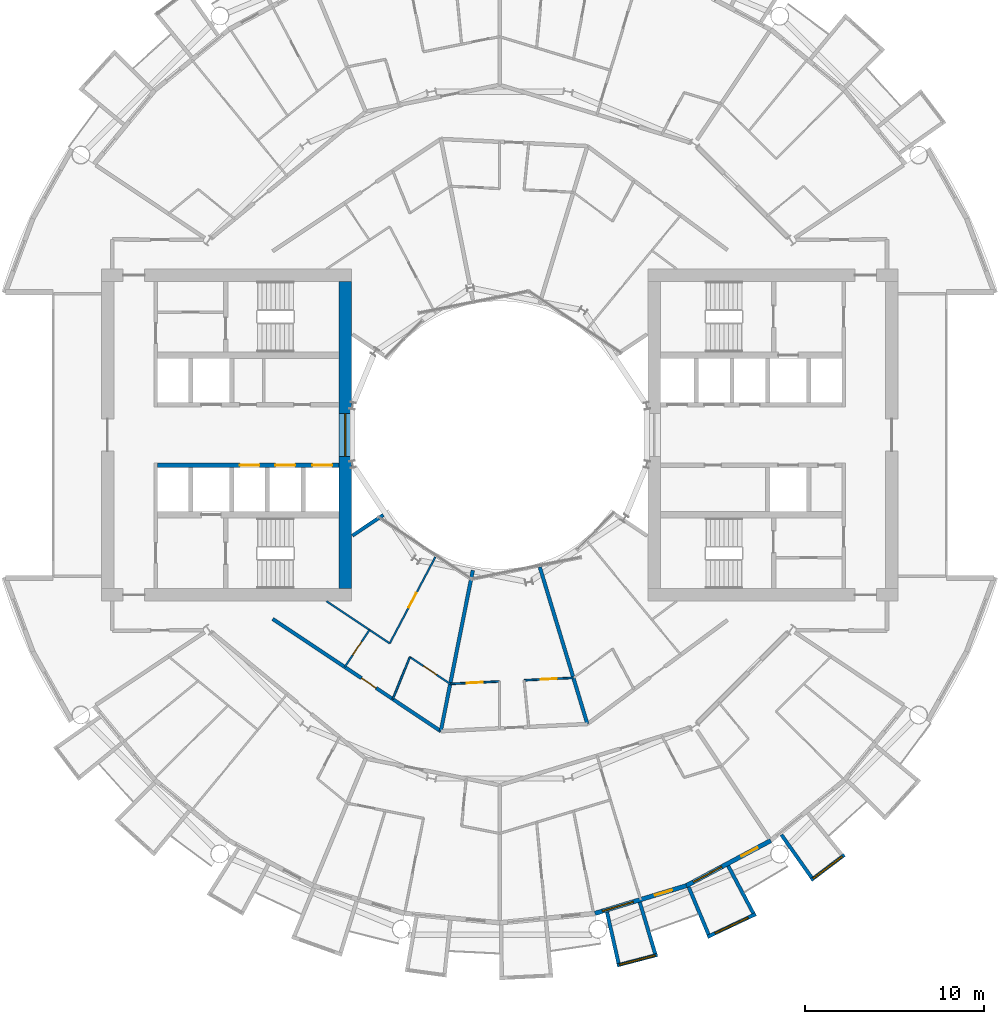
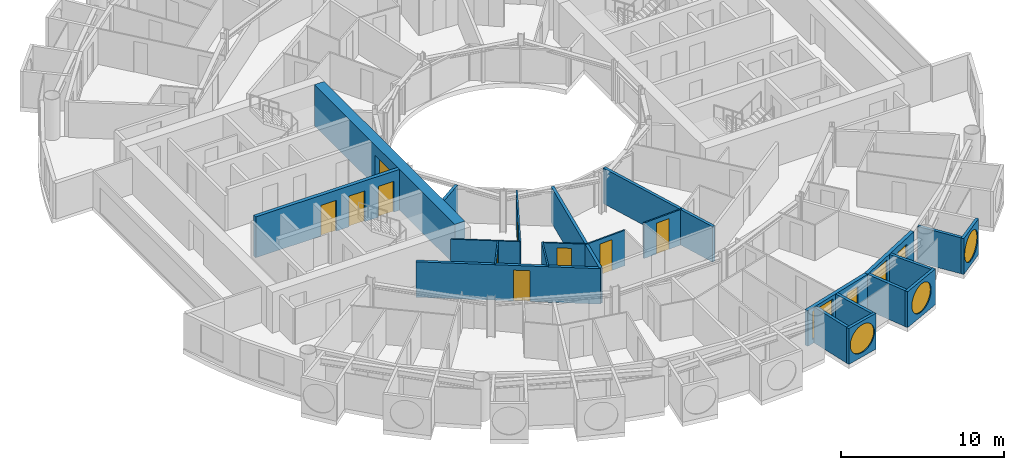
# One storey, part 15 of 25: 23 walls, 11 doors, 6 windows, 17 openings.
"""IFC4 building model written with IfcOpenShell, lengths in metres."""

from ifc_helpers import new_model, si_unit, direction, frame, frame_2d, origin, place, context, subcontext, project, spatial, rectangle, circle, extrude, material, layer, layer_set, type_object, element, fill, save


model = new_model("IFC4")

# Units and contexts
model_context = context("Model", 3, precision=1e-05, world=origin(), true_north=direction((0.0, 1.0)))
body_context = subcontext(model_context, "Body", "Model", "MODEL_VIEW")
ifc_project = project(units=[si_unit("LENGTHUNIT", "METRE"), si_unit("AREAUNIT", "SQUARE_METRE"), si_unit("VOLUMEUNIT", "CUBIC_METRE"), si_unit("PLANEANGLEUNIT", "RADIAN"), si_unit("MASSUNIT", "GRAM", prefix="KILO")], contexts=[model_context])

# Site, building, storey
site_placement = place(None, origin())
site = spatial("IfcSite", under=ifc_project, at=site_placement, CompositionType="ELEMENT")
building_placement = place(site_placement, origin())
building = spatial("IfcBuilding", under=site, at=building_placement, Name="Maasbend Ring Residences", CompositionType="ELEMENT")
storey_placement = place(building_placement, frame((0.0, 0.0, 94.10009765625)))
storey = spatial("IfcBuildingStorey", under=building, at=storey_placement, Name="L27", CompositionType="ELEMENT", Elevation=94.10009765625)

# Wall, openings, doors
ifc_material_1 = material(Name="Concrete C70/85", Category="concrete")
ifc_layer_1 = layer(ifc_material_1, 0.25)
ifc_layer_set_1 = layer_set([ifc_layer_1], Name="Concrete C70/85")
wall_type_1 = type_object("IfcWallType", Name="CORE WALL 250 C70/85", PredefinedType="SHEAR", material=ifc_layer_set_1)
wall_1_placement = place(storey_placement, frame((-9.0, -1.699951171875, 0.0), z_axis=(0.0, 0.0, 1.0), x_axis=(-1.0, 0.0, 0.0)))
wall_1 = element("IfcWall", 1, at=wall_1_placement, inside=storey, type_object=wall_type_1, Name="L27 core W wall SPN", PredefinedType="SHEAR", context=body_context, shape_type="SweptSolid", body=[
    extrude(rectangle(XDim=10.14990234375, YDim=0.25, at=frame_2d((5.074951171875, 0.0))), origin(), (0.0, 0.0, 1.0), 3.0498046875),
])
opening_1_placement = place(wall_1_placement, frame((0.387451171875, 0.0, 0.0)))
opening_1 = element("IfcOpeningElement", 2, at=opening_1_placement, cuts=wall_1, Name="Opening LD-W2701", PredefinedType="OPENING", context=body_context, shape_type="SweptSolid", body=[
    extrude(rectangle(XDim=1.10009765625, YDim=2.300048828125, at=frame_2d((0.550048828125, 1.14990234375))), frame((0.0, 0.135009765625, 0.0), z_axis=(0.0, -1.0, 0.0), x_axis=(1.0, 0.0, 0.0)), (0.0, 0.0, 1.0), 0.27001953125),
])
opening_2_placement = place(wall_1_placement, frame((2.449951171875, 0.0, 0.0)))
opening_2 = element("IfcOpeningElement", 3, at=opening_2_placement, cuts=wall_1, Name="Opening LD-W2702", PredefinedType="OPENING", context=body_context, shape_type="SweptSolid", body=[
    extrude(rectangle(XDim=1.10009765625, YDim=2.300048828125, at=frame_2d((0.550048828125, 1.14990234375))), frame((0.0, 0.135009765625, 0.0), z_axis=(0.0, -1.0, 0.0), x_axis=(1.0, 0.0, 0.0)), (0.0, 0.0, 1.0), 0.27001953125),
])
opening_3_placement = place(wall_1_placement, frame((4.449951171875, 0.0, 0.0)))
opening_3 = element("IfcOpeningElement", 4, at=opening_3_placement, cuts=wall_1, Name="Opening LD-W2703", PredefinedType="OPENING", context=body_context, shape_type="SweptSolid", body=[
    extrude(rectangle(XDim=1.10009765625, YDim=2.300048828125, at=frame_2d((0.550048828125, 1.14990234375))), frame((0.0, 0.135009765625, 0.0), z_axis=(0.0, -1.0, 0.0), x_axis=(1.0, 0.0, 0.0)), (0.0, 0.0, 1.0), 0.27001953125),
])
ifc_material_2 = material(Name="Stainless steel 316", Category="steel")
door_type_1 = type_object("IfcDoorType", Name="LANDING DOOR 1100 X 2300 FD60", OperationType="DOUBLE_DOOR_SLIDING", PredefinedType="DOOR", material=ifc_material_2)
door_1_placement = place(opening_1_placement, origin())
door_1 = element("IfcDoor", 5, at=door_1_placement, inside=storey, type_object=door_type_1, Name="Landing door LR-W1 L27", OperationType="DOUBLE_DOOR_SLIDING", OverallHeight=2.300048828125, OverallWidth=1.10009765625, PredefinedType="DOOR", context=body_context, shape_type="SweptSolid", body=[
    extrude(rectangle(XDim=1.10009765625, YDim=2.300048828125, at=frame_2d((0.550048828125, 1.14990234375))), frame((0.0, 0.02490234375, 0.0), z_axis=(0.0, -1.0, 0.0), x_axis=(1.0, 0.0, 0.0)), (0.0, 0.0, 1.0), 0.050048828125),
])
fill(opening_1, door_1)
door_2_placement = place(opening_2_placement, origin())
door_2 = element("IfcDoor", 6, at=door_2_placement, inside=storey, type_object=door_type_1, Name="Landing door LR-W2 L27", OperationType="DOUBLE_DOOR_SLIDING", OverallHeight=2.300048828125, OverallWidth=1.10009765625, PredefinedType="DOOR", context=body_context, shape_type="SweptSolid", body=[
    extrude(rectangle(XDim=1.10009765625, YDim=2.300048828125, at=frame_2d((0.550048828125, 1.14990234375))), frame((0.0, 0.02490234375, 0.0), z_axis=(0.0, -1.0, 0.0), x_axis=(1.0, 0.0, 0.0)), (0.0, 0.0, 1.0), 0.050048828125),
])
fill(opening_2, door_2)
door_3_placement = place(opening_3_placement, origin())
door_3 = element("IfcDoor", 7, at=door_3_placement, inside=storey, type_object=door_type_1, Name="Landing door LR-W3 L27", OperationType="DOUBLE_DOOR_SLIDING", OverallHeight=2.300048828125, OverallWidth=1.10009765625, PredefinedType="DOOR", context=body_context, shape_type="SweptSolid", body=[
    extrude(rectangle(XDim=1.10009765625, YDim=2.300048828125, at=frame_2d((0.550048828125, 1.14990234375))), frame((0.0, 0.02490234375, 0.0), z_axis=(0.0, -1.0, 0.0), x_axis=(1.0, 0.0, 0.0)), (0.0, 0.0, 1.0), 0.050048828125),
])
fill(opening_3, door_3)

# Wall, opening, window
ifc_material_3 = material(Name="Concrete C70/85", Category="concrete")
ifc_layer_2 = layer(ifc_material_3, 0.699951171875)
ifc_layer_set_2 = layer_set([ifc_layer_2], Name="Concrete C70/85")
wall_type_2 = type_object("IfcWallType", Name="CORE WALL 700 C70/85", PredefinedType="SHEAR", material=ifc_layer_set_2)
wall_2_placement = place(storey_placement, frame((-8.64990234375, 8.60009765625, 0.0), z_axis=(0.0, 0.0, 1.0), x_axis=(0.0, -1.0, 0.0)))
wall_2 = element("IfcWall", 8, at=wall_2_placement, inside=storey, type_object=wall_type_2, Name="L27 core W wall PIN", PredefinedType="SHEAR", context=body_context, shape_type="SweptSolid", body=[
    extrude(rectangle(XDim=17.2001953125, YDim=0.699951171875, at=frame_2d((8.60009765625, 0.0))), origin(), (0.0, 0.0, 1.0), 3.0498046875),
])
opening_4_placement = place(wall_2_placement, frame((7.39990234375, 0.0, 0.10009765625)))
opening_4 = element("IfcOpeningElement", 9, at=opening_4_placement, cuts=wall_2, Name="Opening W-W2701", PredefinedType="OPENING", context=body_context, shape_type="SweptSolid", body=[
    extrude(rectangle(XDim=2.39990234375, YDim=2.199951171875, at=frame_2d((1.199951171875, 1.10009765625))), frame((0.0, 0.35986328125, 0.0), z_axis=(0.0, -1.0, 0.0), x_axis=(1.0, 0.0, 0.0)), (0.0, 0.0, 1.0), 0.719970703125),
])
ifc_material_4 = material(Name="Aluminium frame and clear glass", Category="aluminium")
window_type_1 = type_object("IfcWindowType", Name="FIXED WINDOW 2400 X 2200", PartitioningType="SINGLE_PANEL", PredefinedType="WINDOW", material=ifc_material_4)
window_1_placement = place(opening_4_placement, origin())
window_1 = element("IfcWindow", 10, at=window_1_placement, inside=storey, type_object=window_type_1, Name="Lobby window L27", OverallHeight=2.199951171875, OverallWidth=2.39990234375, PartitioningType="SINGLE_PANEL", PredefinedType="WINDOW", context=body_context, shape_type="SweptSolid", body=[
    extrude(rectangle(XDim=2.39990234375, YDim=2.199951171875, at=frame_2d((1.199951171875, 1.10009765625))), frame((0.0, 0.030029296875, 0.0), z_axis=(0.0, -1.0, 0.0), x_axis=(1.0, 0.0, 0.0)), (0.0, 0.0, 1.0), 0.06005859375),
])
fill(opening_4, window_1)

# Wall, opening, door
ifc_material_5 = material(Name="Concrete C30/37", Category="concrete")
ifc_layer_3 = layer(ifc_material_5, 0.199951171875)
ifc_layer_set_3 = layer_set([ifc_layer_3], Name="Concrete C30/37")
wall_type_3 = type_object("IfcWallType", Name="CORRIDOR WALL 200 CONCRETE", PredefinedType="PARTITIONING", material=ifc_layer_set_3)
wall_3_placement = place(storey_placement, frame((-12.7060546875, -10.291015625, 0.0), z_axis=(0.0, 0.0, 1.0), x_axis=(0.831588572532, -0.555392155178, 0.0)))
wall_3 = element("IfcWall", 11, at=wall_3_placement, inside=storey, type_object=wall_type_3, Name="U-L27-w017", PredefinedType="PARTITIONING", context=body_context, shape_type="SweptSolid", body=[
    extrude(rectangle(XDim=11.314453125, YDim=0.199951171875, at=frame_2d((5.6572265625, 0.0))), origin(), (0.0, 0.0, 1.0), 2.64990234375),
])
opening_5_placement = place(wall_3_placement, frame((5.966064453125, 0.0, 0.0)))
opening_5 = element("IfcOpeningElement", 12, at=opening_5_placement, cuts=wall_3, Name="Opening D-2752", PredefinedType="OPENING", context=body_context, shape_type="SweptSolid", body=[
    extrude(rectangle(XDim=1.0, YDim=2.300048828125, at=frame_2d((0.5, 1.14990234375))), frame((0.0, 0.10986328125, 0.0), z_axis=(0.0, -1.0, 0.0), x_axis=(1.0, 0.0, 0.0)), (0.0, 0.0, 1.0), 0.219970703125),
])
ifc_material_6 = material(Name="Timber, fire-rated, painted", Category="wood")
door_type_2 = type_object("IfcDoorType", Name="FLAT ENTRANCE DOOR 1000 X 2300 FIRE-RATED", OperationType="NOTDEFINED", PredefinedType="DOOR", material=ifc_material_6)
door_4_placement = place(opening_5_placement, origin())
door_4 = element("IfcDoor", 13, at=door_4_placement, inside=storey, type_object=door_type_2, Name="D-2752", OperationType="SINGLE_SWING_RIGHT", OverallHeight=2.300048828125, OverallWidth=1.0, PredefinedType="DOOR", context=body_context, shape_type="SweptSolid", body=[
    extrude(rectangle(XDim=1.0, YDim=2.300048828125, at=frame_2d((0.5, 1.14990234375))), frame((0.0, 0.02490234375, 0.0), z_axis=(0.0, -1.0, 0.0), x_axis=(1.0, 0.0, 0.0)), (0.0, 0.0, 1.0), 0.050048828125),
])
fill(opening_5, door_4)

# Wall, opening, window
ifc_material_7 = material(Name="Pale anodised aluminium panel", Category="aluminium")
ifc_layer_4 = layer(ifc_material_7, 0.199951171875)
ifc_layer_set_4 = layer_set([ifc_layer_4], Name="EW-BOX")
wall_type_4 = type_object("IfcWallType", Name="EW-BOX", PredefinedType="SOLIDWALL", material=ifc_layer_set_4)
wall_4_placement = place(storey_placement, frame((6.568115234375, -29.681884765625, -0.030029296875), z_axis=(0.0, 0.0, 1.0), x_axis=(0.967377102346, 0.253340762326, 0.0)))
wall_4 = element("IfcWall", 14, at=wall_4_placement, inside=storey, type_object=wall_type_4, Name="Box front S13", PredefinedType="SOLIDWALL", context=body_context, shape_type="SweptSolid", body=[
    extrude(rectangle(XDim=2.3359375, YDim=0.199951171875, at=frame_2d((1.16796875, 0.0))), origin(), (0.0, 0.0, 1.0), 2.679931640625),
])
opening_6_placement = place(wall_4_placement, frame((0.128173828125, 0.0, 0.330078125)))
opening_6 = element("IfcOpeningElement", 15, at=opening_6_placement, cuts=wall_4, Name="Opening W-RD", PredefinedType="OPENING", context=body_context, shape_type="SweptSolid", body=[
    extrude(circle(Radius=1.0400390625, at=frame_2d((1.0400390625, 1.0400390625))), frame((0.0, 0.10986328125, 0.0), z_axis=(0.0, -1.0, 0.0), x_axis=(1.0, 0.0, 0.0)), (0.0, 0.0, 1.0), 0.219970703125),
])
ifc_material_8 = material(Name="Aluminium and clear glass", Category="aluminium")
window_type_2 = type_object("IfcWindowType", Name="W-RD", PartitioningType="SINGLE_PANEL", PredefinedType="WINDOW", material=ifc_material_8)
window_2_placement = place(opening_6_placement, origin())
window_2 = element("IfcWindow", 16, at=window_2_placement, inside=storey, type_object=window_type_2, Name="Round window S13", OverallHeight=2.080078125, OverallWidth=2.080078125, PartitioningType="SINGLE_PANEL", PredefinedType="WINDOW", context=body_context, shape_type="SweptSolid", body=[
    extrude(circle(Radius=1.0400390625, at=frame_2d((1.0400390625, 1.0400390625))), frame((0.0, 0.030029296875, 0.0), z_axis=(0.0, -1.0, 0.0), x_axis=(1.0, 0.0, 0.0)), (0.0, 0.0, 1.0), 0.06005859375),
])
fill(opening_6, window_2)

# Walls
wall_5_placement = place(storey_placement, frame((6.00390625, -26.699951171875, -0.030029296875), z_axis=(0.0, 0.0, 1.0), x_axis=(0.219609259383, -0.975587911566, 0.0)))
element("IfcWall", 17, at=wall_5_placement, inside=storey, type_object=wall_type_4, Name="Box side wall S13 left", PredefinedType="SOLIDWALL", context=body_context, shape_type="SweptSolid", body=[
    extrude(rectangle(XDim=2.9326171875, YDim=0.199951171875, at=frame_2d((1.46630859375, 0.0))), origin(), (0.0, 0.0, 1.0), 2.679931640625),
])
wall_6_placement = place(storey_placement, frame((7.8369140625, -26.14404296875, -0.030029296875), z_axis=(0.0, 0.0, 1.0), x_axis=(0.287064767992, -0.957911174889, 0.0)))
element("IfcWall", 18, at=wall_6_placement, inside=storey, type_object=wall_type_4, Name="Box side wall S13 right", PredefinedType="SOLIDWALL", context=body_context, shape_type="SweptSolid", body=[
    extrude(rectangle(XDim=3.00634765625, YDim=0.199951171875, at=frame_2d((1.503173828125, 0.0))), origin(), (0.0, 0.0, 1.0), 2.679931640625),
])

# Wall, opening, window
wall_7_placement = place(storey_placement, frame((11.62890625, -28.087890625, -0.030029296875), z_axis=(0.0, 0.0, 1.0), x_axis=(0.904000060331, 0.427532327342, 0.0)))
wall_7 = element("IfcWall", 19, at=wall_7_placement, inside=storey, type_object=wall_type_4, Name="Box front S15", PredefinedType="SOLIDWALL", context=body_context, shape_type="SweptSolid", body=[
    extrude(rectangle(XDim=2.993408203125, YDim=0.199951171875, at=frame_2d((1.49658203125, 0.0))), origin(), (0.0, 0.0, 1.0), 2.679931640625),
])
opening_7_placement = place(wall_7_placement, frame((0.45654296875, 0.0, 0.330078125)))
opening_7 = element("IfcOpeningElement", 20, at=opening_7_placement, cuts=wall_7, Name="Opening W-RD", PredefinedType="OPENING", context=body_context, shape_type="SweptSolid", body=[
    extrude(circle(Radius=1.0400390625, at=frame_2d((1.0400390625, 1.0400390625))), frame((0.0, 0.10986328125, 0.0), z_axis=(0.0, -1.0, 0.0), x_axis=(1.0, 0.0, 0.0)), (0.0, 0.0, 1.0), 0.219970703125),
])
window_3_placement = place(opening_7_placement, origin())
window_3 = element("IfcWindow", 21, at=window_3_placement, inside=storey, type_object=window_type_2, Name="Round window S15", OverallHeight=2.080078125, OverallWidth=2.080078125, PartitioningType="SINGLE_PANEL", PredefinedType="WINDOW", context=body_context, shape_type="SweptSolid", body=[
    extrude(circle(Radius=1.0400390625, at=frame_2d((1.0400390625, 1.0400390625))), frame((0.0, 0.030029296875, 0.0), z_axis=(0.0, -1.0, 0.0), x_axis=(1.0, 0.0, 0.0)), (0.0, 0.0, 1.0), 0.06005859375),
])
fill(opening_7, window_3)

# Walls
wall_8_placement = place(storey_placement, frame((10.574951171875, -25.294921875, -0.030029296875), z_axis=(0.0, 0.0, 1.0), x_axis=(0.385697364644, -0.922625353492, 0.0)))
element("IfcWall", 22, at=wall_8_placement, inside=storey, type_object=wall_type_4, Name="Box side wall S15 left", PredefinedType="SOLIDWALL", context=body_context, shape_type="SweptSolid", body=[
    extrude(rectangle(XDim=2.88330078125, YDim=0.199951171875, at=frame_2d((1.441650390625, 0.0))), origin(), (0.0, 0.0, 1.0), 2.679931640625),
])
wall_9_placement = place(storey_placement, frame((12.787109375, -24.113037109375, -0.030029296875), z_axis=(0.0, 0.0, 1.0), x_axis=(0.468365282436, -0.883534924159, 0.0)))
element("IfcWall", 23, at=wall_9_placement, inside=storey, type_object=wall_type_4, Name="Box side wall S15 right", PredefinedType="SOLIDWALL", context=body_context, shape_type="SweptSolid", body=[
    extrude(rectangle(XDim=3.006103515625, YDim=0.199951171875, at=frame_2d((1.5029296875, 0.0))), origin(), (0.0, 0.0, 1.0), 2.679931640625),
])

# Wall, opening, window
wall_10_placement = place(storey_placement, frame((17.427001953125, -24.908935546875, -0.030029296875), z_axis=(0.0, 0.0, 1.0), x_axis=(0.796842165306, 0.60418752353, 0.0)))
wall_10 = element("IfcWall", 24, at=wall_10_placement, inside=storey, type_object=wall_type_4, Name="Box front S17", PredefinedType="SOLIDWALL", context=body_context, shape_type="SweptSolid", body=[
    extrude(rectangle(XDim=2.3369140625, YDim=0.199951171875, at=frame_2d((1.16845703125, 0.0))), origin(), (0.0, 0.0, 1.0), 2.679931640625),
])
opening_8_placement = place(wall_10_placement, frame((0.128173828125, 0.0, 0.330078125)))
opening_8 = element("IfcOpeningElement", 25, at=opening_8_placement, cuts=wall_10, Name="Opening W-RD", PredefinedType="OPENING", context=body_context, shape_type="SweptSolid", body=[
    extrude(circle(Radius=1.0400390625, at=frame_2d((1.0400390625, 1.0400390625))), frame((0.0, 0.10986328125, 0.0), z_axis=(0.0, -1.0, 0.0), x_axis=(1.0, 0.0, 0.0)), (0.0, 0.0, 1.0), 0.219970703125),
])
window_4_placement = place(opening_8_placement, origin())
window_4 = element("IfcWindow", 26, at=window_4_placement, inside=storey, type_object=window_type_2, Name="Round window S17", OverallHeight=2.080078125, OverallWidth=2.080078125, PartitioningType="SINGLE_PANEL", PredefinedType="WINDOW", context=body_context, shape_type="SweptSolid", body=[
    extrude(circle(Radius=1.0400390625, at=frame_2d((1.0400390625, 1.0400390625))), frame((0.0, 0.030029296875, 0.0), z_axis=(0.0, -1.0, 0.0), x_axis=(1.0, 0.0, 0.0)), (0.0, 0.0, 1.0), 0.06005859375),
])
fill(opening_8, window_4)

# Wall
wall_11_placement = place(storey_placement, frame((15.764892578125, -22.3701171875, -0.030029296875), z_axis=(0.0, 0.0, 1.0), x_axis=(0.576274612209, -0.817256123454, 0.0)))
element("IfcWall", 27, at=wall_11_placement, inside=storey, type_object=wall_type_4, Name="Box side wall S17 left", PredefinedType="SOLIDWALL", context=body_context, shape_type="SweptSolid", body=[
    extrude(rectangle(XDim=2.932861328125, YDim=0.199951171875, at=frame_2d((1.46630859375, 0.0))), origin(), (0.0, 0.0, 1.0), 2.679931640625),
])

# Wall, openings, door, window
ifc_material_9 = material(Name="Aluminium clad insulated panel", Category="aluminium")
ifc_layer_5 = layer(ifc_material_9, 0.25)
ifc_layer_set_5 = layer_set([ifc_layer_5], Name="EW-GL")
wall_type_5 = type_object("IfcWallType", Name="EW-GL", PredefinedType="SOLIDWALL", material=ifc_layer_set_5)
wall_12_placement = place(storey_placement, frame((5.325927734375, -26.77490234375, 0.0), z_axis=(0.0, 0.0, 1.0), x_axis=(0.956965678721, 0.290201119486, 0.0)))
wall_12 = element("IfcWall", 28, at=wall_12_placement, inside=storey, type_object=wall_type_5, Name="External wall S07", PredefinedType="SOLIDWALL", context=body_context, shape_type="SweptSolid", body=[
    extrude(rectangle(XDim=5.351318359375, YDim=0.25, at=frame_2d((2.67578125, 0.0))), origin(), (0.0, 0.0, 1.0), 2.64990234375),
])
opening_9_placement = place(wall_12_placement, frame((0.441162109375, 0.0, 0.300048828125)))
opening_9 = element("IfcOpeningElement", 29, at=opening_9_placement, cuts=wall_12, Name="Opening W-BX", PredefinedType="OPENING", context=body_context, shape_type="SweptSolid", body=[
    extrude(rectangle(XDim=1.800048828125, YDim=2.10009765625, at=frame_2d((0.89990234375, 1.050048828125))), frame((0.0, 0.135009765625, 0.0), z_axis=(0.0, -1.0, 0.0), x_axis=(1.0, 0.0, 0.0)), (0.0, 0.0, 1.0), 0.27001953125),
])
opening_10_placement = place(wall_12_placement, frame((3.510498046875, 0.0, 0.0)))
opening_10 = element("IfcOpeningElement", 30, at=opening_10_placement, cuts=wall_12, Name="Opening D-LG", PredefinedType="OPENING", context=body_context, shape_type="SweptSolid", body=[
    extrude(rectangle(XDim=1.0, YDim=2.199951171875, at=frame_2d((0.5, 1.10009765625))), frame((0.0, 0.135009765625, 0.0), z_axis=(0.0, -1.0, 0.0), x_axis=(1.0, 0.0, 0.0)), (0.0, 0.0, 1.0), 0.27001953125),
])
ifc_material_10 = material(Name="Aluminium and clear glass", Category="aluminium")
door_type_3 = type_object("IfcDoorType", Name="D-LG", OperationType="SINGLE_SWING_LEFT", PredefinedType="DOOR", material=ifc_material_10)
door_5_placement = place(opening_10_placement, origin())
door_5 = element("IfcDoor", 31, at=door_5_placement, inside=storey, type_object=door_type_3, Name="Loggia door S14", OperationType="SINGLE_SWING_LEFT", OverallHeight=2.199951171875, OverallWidth=1.0, PredefinedType="DOOR", context=body_context, shape_type="SweptSolid", body=[
    extrude(rectangle(XDim=1.0, YDim=2.199951171875, at=frame_2d((0.5, 1.10009765625))), frame((0.0, 0.02490234375, 0.0), z_axis=(0.0, -1.0, 0.0), x_axis=(1.0, 0.0, 0.0)), (0.0, 0.0, 1.0), 0.050048828125),
])
fill(opening_10, door_5)
ifc_material_11 = material(Name="Aluminium and clear glass", Category="aluminium")
window_type_3 = type_object("IfcWindowType", Name="W-BX", PartitioningType="DOUBLE_PANEL_VERTICAL", PredefinedType="WINDOW", material=ifc_material_11)
window_5_placement = place(opening_9_placement, origin())
window_5 = element("IfcWindow", 32, at=window_5_placement, inside=storey, type_object=window_type_3, Name="Window S13 room to box", OverallHeight=2.10009765625, OverallWidth=1.800048828125, PartitioningType="SINGLE_PANEL", PredefinedType="WINDOW", context=body_context, shape_type="SweptSolid", body=[
    extrude(rectangle(XDim=1.800048828125, YDim=2.10009765625, at=frame_2d((0.89990234375, 1.050048828125))), frame((0.0, 0.030029296875, 0.0), z_axis=(0.0, -1.0, 0.0), x_axis=(1.0, 0.0, 0.0)), (0.0, 0.0, 1.0), 0.06005859375),
])
fill(opening_9, window_5)

wall_13_placement = place(storey_placement, frame((10.447021484375, -25.221923828125, 0.0), z_axis=(0.0, 0.0, 1.0), x_axis=(0.881915646801, 0.471407246368, 0.0)))
wall_13 = element("IfcWall", 33, at=wall_13_placement, inside=storey, type_object=wall_type_5, Name="External wall S08", PredefinedType="SOLIDWALL", context=body_context, shape_type="SweptSolid", body=[
    extrude(rectangle(XDim=5.35205078125, YDim=0.25, at=frame_2d((2.676025390625, 0.0))), origin(), (0.0, 0.0, 1.0), 2.64990234375),
])
opening_11_placement = place(wall_13_placement, frame((0.441162109375, 0.0, 0.300048828125)))
opening_11 = element("IfcOpeningElement", 34, at=opening_11_placement, cuts=wall_13, Name="Opening W-BX", PredefinedType="OPENING", context=body_context, shape_type="SweptSolid", body=[
    extrude(rectangle(XDim=1.800048828125, YDim=2.10009765625, at=frame_2d((0.89990234375, 1.050048828125))), frame((0.0, 0.135009765625, 0.0), z_axis=(0.0, -1.0, 0.0), x_axis=(1.0, 0.0, 0.0)), (0.0, 0.0, 1.0), 0.27001953125),
])
opening_12_placement = place(wall_13_placement, frame((3.510498046875, 0.0, 0.0)))
opening_12 = element("IfcOpeningElement", 35, at=opening_12_placement, cuts=wall_13, Name="Opening D-LG", PredefinedType="OPENING", context=body_context, shape_type="SweptSolid", body=[
    extrude(rectangle(XDim=1.0, YDim=2.199951171875, at=frame_2d((0.5, 1.10009765625))), frame((0.0, 0.135009765625, 0.0), z_axis=(0.0, -1.0, 0.0), x_axis=(1.0, 0.0, 0.0)), (0.0, 0.0, 1.0), 0.27001953125),
])
door_6_placement = place(opening_12_placement, origin())
door_6 = element("IfcDoor", 36, at=door_6_placement, inside=storey, type_object=door_type_3, Name="Loggia door S16", OperationType="SINGLE_SWING_LEFT", OverallHeight=2.199951171875, OverallWidth=1.0, PredefinedType="DOOR", context=body_context, shape_type="SweptSolid", body=[
    extrude(rectangle(XDim=1.0, YDim=2.199951171875, at=frame_2d((0.5, 1.10009765625))), frame((0.0, 0.02490234375, 0.0), z_axis=(0.0, -1.0, 0.0), x_axis=(1.0, 0.0, 0.0)), (0.0, 0.0, 1.0), 0.050048828125),
])
fill(opening_12, door_6)
window_6_placement = place(opening_11_placement, origin())
window_6 = element("IfcWindow", 37, at=window_6_placement, inside=storey, type_object=window_type_3, Name="Window S15 room to box", OverallHeight=2.10009765625, OverallWidth=1.800048828125, PartitioningType="SINGLE_PANEL", PredefinedType="WINDOW", context=body_context, shape_type="SweptSolid", body=[
    extrude(rectangle(XDim=1.800048828125, YDim=2.10009765625, at=frame_2d((0.89990234375, 1.050048828125))), frame((0.0, 0.030029296875, 0.0), z_axis=(0.0, -1.0, 0.0), x_axis=(1.0, 0.0, 0.0)), (0.0, 0.0, 1.0), 0.06005859375),
])
fill(opening_11, window_6)

# Wall, opening, door
ifc_material_12 = material(Name="Gypsum board on steel studs", Category="steel")
ifc_layer_6 = layer(ifc_material_12, 0.10009765625)
ifc_layer_set_6 = layer_set([ifc_layer_6], Name="PARTITION 100 GYPSUM")
wall_type_6 = type_object("IfcWallType", Name="PARTITION 100 GYPSUM", PredefinedType="PARTITIONING", material=ifc_layer_set_6)
wall_14_placement = place(storey_placement, frame((-2.77197265625, -13.927001953125, 0.0), z_axis=(0.0, 0.0, 1.0), x_axis=(0.998787571158, 0.04922791586, 0.0)))
wall_14 = element("IfcWall", 38, at=wall_14_placement, inside=storey, type_object=wall_type_6, Name="U-L27-w018", PredefinedType="PARTITIONING", context=body_context, shape_type="SweptSolid", body=[
    extrude(rectangle(XDim=2.762451171875, YDim=0.10009765625, at=frame_2d((1.38134765625, 0.0))), origin(), (0.0, 0.0, 1.0), 2.64990234375),
])
opening_13_placement = place(wall_14_placement, frame((0.93310546875, 0.0, 0.0)))
opening_13 = element("IfcOpeningElement", 39, at=opening_13_placement, cuts=wall_14, Name="Opening D-2758", PredefinedType="OPENING", context=body_context, shape_type="SweptSolid", body=[
    extrude(rectangle(XDim=0.89990234375, YDim=2.300048828125, at=frame_2d((0.449951171875, 1.14990234375))), frame((0.0, 0.06005859375, 0.0), z_axis=(0.0, -1.0, 0.0), x_axis=(1.0, 0.0, 0.0)), (0.0, 0.0, 1.0), 0.1201171875),
])
ifc_material_13 = material(Name="Timber, painted", Category="wood")
door_type_4 = type_object("IfcDoorType", Name="INTERNAL DOOR 900 X 2300", OperationType="NOTDEFINED", PredefinedType="DOOR", material=ifc_material_13)
door_7_placement = place(opening_13_placement, origin())
door_7 = element("IfcDoor", 40, at=door_7_placement, inside=storey, type_object=door_type_4, Name="D-2758", OperationType="SINGLE_SWING_RIGHT", OverallHeight=2.300048828125, OverallWidth=0.89990234375, PredefinedType="DOOR", context=body_context, shape_type="SweptSolid", body=[
    extrude(rectangle(XDim=0.89990234375, YDim=2.300048828125, at=frame_2d((0.449951171875, 1.14990234375))), frame((0.0, 0.02490234375, 0.0), z_axis=(0.0, -1.0, 0.0), x_axis=(1.0, 0.0, 0.0)), (0.0, 0.0, 1.0), 0.050048828125),
])
fill(opening_13, door_7)

wall_15_placement = place(storey_placement, frame((1.364990234375, -13.72412109375, 0.0), z_axis=(0.0, 0.0, 1.0), x_axis=(0.99880320044, 0.048909782152, 0.0)))
wall_15 = element("IfcWall", 41, at=wall_15_placement, inside=storey, type_object=wall_type_6, Name="U-L27-w019", PredefinedType="PARTITIONING", context=body_context, shape_type="SweptSolid", body=[
    extrude(rectangle(XDim=2.760498046875, YDim=0.10009765625, at=frame_2d((1.38037109375, 0.0))), origin(), (0.0, 0.0, 1.0), 2.64990234375),
])
opening_14_placement = place(wall_15_placement, frame((0.929931640625, 0.0, 0.0)))
opening_14 = element("IfcOpeningElement", 42, at=opening_14_placement, cuts=wall_15, Name="Opening D-2757", PredefinedType="OPENING", context=body_context, shape_type="SweptSolid", body=[
    extrude(rectangle(XDim=0.89990234375, YDim=2.300048828125, at=frame_2d((0.449951171875, 1.14990234375))), frame((0.0, 0.06005859375, 0.0), z_axis=(0.0, -1.0, 0.0), x_axis=(1.0, 0.0, 0.0)), (0.0, 0.0, 1.0), 0.1201171875),
])
door_8_placement = place(opening_14_placement, origin())
door_8 = element("IfcDoor", 43, at=door_8_placement, inside=storey, type_object=door_type_4, Name="D-2757", OperationType="SINGLE_SWING_RIGHT", OverallHeight=2.300048828125, OverallWidth=0.89990234375, PredefinedType="DOOR", context=body_context, shape_type="SweptSolid", body=[
    extrude(rectangle(XDim=0.89990234375, YDim=2.300048828125, at=frame_2d((0.449951171875, 1.14990234375))), frame((0.0, 0.02490234375, 0.0), z_axis=(0.0, -1.0, 0.0), x_axis=(1.0, 0.0, 0.0)), (0.0, 0.0, 1.0), 0.050048828125),
])
fill(opening_14, door_8)

# Wall
wall_16_placement = place(storey_placement, frame((-9.693115234375, -9.302001953125, 0.0), z_axis=(0.0, 0.0, 1.0), x_axis=(0.831546497949, -0.555455148278, 0.0)))
element("IfcWall", 44, at=wall_16_placement, inside=storey, type_object=wall_type_6, Name="U-L27-w022", PredefinedType="PARTITIONING", context=body_context, shape_type="SweptSolid", body=[
    extrude(rectangle(XDim=4.25244140625, YDim=0.10009765625, at=frame_2d((2.126220703125, 0.0))), origin(), (0.0, 0.0, 1.0), 2.64990234375),
])

# Wall, opening, door
wall_17_placement = place(storey_placement, frame((-5.029052734375, -12.41796875, 0.0), z_axis=(0.0, 0.0, 1.0), x_axis=(0.831538390496, -0.555467285384, 0.0)))
wall_17 = element("IfcWall", 45, at=wall_17_placement, inside=storey, type_object=wall_type_6, Name="U-L27-w023", PredefinedType="PARTITIONING", context=body_context, shape_type="SweptSolid", body=[
    extrude(rectangle(XDim=2.716796875, YDim=0.10009765625, at=frame_2d((1.3583984375, 0.0))), origin(), (0.0, 0.0, 1.0), 2.64990234375),
])
opening_15_placement = place(wall_17_placement, frame((0.907958984375, 0.0, 0.0)))
opening_15 = element("IfcOpeningElement", 46, at=opening_15_placement, cuts=wall_17, Name="Opening D-2753", PredefinedType="OPENING", context=body_context, shape_type="SweptSolid", body=[
    extrude(rectangle(XDim=0.89990234375, YDim=2.300048828125, at=frame_2d((0.449951171875, 1.14990234375))), frame((0.0, 0.06005859375, 0.0), z_axis=(0.0, -1.0, 0.0), x_axis=(1.0, 0.0, 0.0)), (0.0, 0.0, 1.0), 0.1201171875),
])
door_9_placement = place(opening_15_placement, origin())
door_9 = element("IfcDoor", 47, at=door_9_placement, inside=storey, type_object=door_type_4, Name="D-2753", OperationType="SINGLE_SWING_LEFT", OverallHeight=2.300048828125, OverallWidth=0.89990234375, PredefinedType="DOOR", context=body_context, shape_type="SweptSolid", body=[
    extrude(rectangle(XDim=0.89990234375, YDim=2.300048828125, at=frame_2d((0.449951171875, 1.14990234375))), frame((0.0, 0.02490234375, 0.0), z_axis=(0.0, -1.0, 0.0), x_axis=(1.0, 0.0, 0.0)), (0.0, 0.0, 1.0), 0.050048828125),
])
fill(opening_15, door_9)

wall_18_placement = place(storey_placement, frame((-8.674072265625, -12.98193359375, 0.0), z_axis=(0.0, 0.0, 1.0), x_axis=(0.555355163998, 0.831613276602, 0.0)))
wall_18 = element("IfcWall", 48, at=wall_18_placement, inside=storey, type_object=wall_type_6, Name="U-L27-w040", PredefinedType="PARTITIONING", context=body_context, shape_type="SweptSolid", body=[
    extrude(rectangle(XDim=2.493896484375, YDim=0.10009765625, at=frame_2d((1.2470703125, 0.0))), origin(), (0.0, 0.0, 1.0), 2.64990234375),
])
opening_16_placement = place(wall_18_placement, frame((0.797119140625, 0.0, 0.0)))
opening_16 = element("IfcOpeningElement", 49, at=opening_16_placement, cuts=wall_18, Name="Opening D-2754", PredefinedType="OPENING", context=body_context, shape_type="SweptSolid", body=[
    extrude(rectangle(XDim=0.89990234375, YDim=2.300048828125, at=frame_2d((0.449951171875, 1.14990234375))), frame((0.0, 0.06005859375, 0.0), z_axis=(0.0, -1.0, 0.0), x_axis=(1.0, 0.0, 0.0)), (0.0, 0.0, 1.0), 0.1201171875),
])
door_10_placement = place(opening_16_placement, origin())
door_10 = element("IfcDoor", 50, at=door_10_placement, inside=storey, type_object=door_type_4, Name="D-2754", OperationType="SINGLE_SWING_RIGHT", OverallHeight=2.300048828125, OverallWidth=0.89990234375, PredefinedType="DOOR", context=body_context, shape_type="SweptSolid", body=[
    extrude(rectangle(XDim=0.89990234375, YDim=2.300048828125, at=frame_2d((0.449951171875, 1.14990234375))), frame((0.0, 0.02490234375, 0.0), z_axis=(0.0, -1.0, 0.0), x_axis=(1.0, 0.0, 0.0)), (0.0, 0.0, 1.0), 0.050048828125),
])
fill(opening_16, door_10)

wall_19_placement = place(storey_placement, frame((-6.157958984375, -11.6630859375, 0.0), z_axis=(0.0, 0.0, 1.0), x_axis=(0.466976820365, 0.884269556889, 0.0)))
wall_19 = element("IfcWall", 51, at=wall_19_placement, inside=storey, type_object=wall_type_6, Name="U-L27-w045", PredefinedType="PARTITIONING", context=body_context, shape_type="SweptSolid", body=[
    extrude(rectangle(XDim=5.46923828125, YDim=0.10009765625, at=frame_2d((2.734619140625, 0.0))), origin(), (0.0, 0.0, 1.0), 2.64990234375),
])
opening_17_placement = place(wall_19_placement, frame((2.283935546875, 0.0, 0.0)))
opening_17 = element("IfcOpeningElement", 52, at=opening_17_placement, cuts=wall_19, Name="Opening D-2755", PredefinedType="OPENING", context=body_context, shape_type="SweptSolid", body=[
    extrude(rectangle(XDim=0.89990234375, YDim=2.300048828125, at=frame_2d((0.449951171875, 1.14990234375))), frame((0.0, 0.06005859375, 0.0), z_axis=(0.0, -1.0, 0.0), x_axis=(1.0, 0.0, 0.0)), (0.0, 0.0, 1.0), 0.1201171875),
])
door_11_placement = place(opening_17_placement, origin())
door_11 = element("IfcDoor", 53, at=door_11_placement, inside=storey, type_object=door_type_4, Name="D-2755", OperationType="SINGLE_SWING_LEFT", OverallHeight=2.300048828125, OverallWidth=0.89990234375, PredefinedType="DOOR", context=body_context, shape_type="SweptSolid", body=[
    extrude(rectangle(XDim=0.89990234375, YDim=2.300048828125, at=frame_2d((0.449951171875, 1.14990234375))), frame((0.0, 0.02490234375, 0.0), z_axis=(0.0, -1.0, 0.0), x_axis=(1.0, 0.0, 0.0)), (0.0, 0.0, 1.0), 0.050048828125),
])
fill(opening_17, door_11)

# Walls
wall_20_placement = place(storey_placement, frame((-5.986083984375, -14.779052734375, 0.0), z_axis=(0.0, 0.0, 1.0), x_axis=(0.375649498413, 0.926761811008, 0.0)))
element("IfcWall", 54, at=wall_20_placement, inside=storey, type_object=wall_type_6, Name="U-L27-w046", PredefinedType="PARTITIONING", context=body_context, shape_type="SweptSolid", body=[
    extrude(rectangle(XDim=2.547607421875, YDim=0.10009765625, at=frame_2d((1.27392578125, 0.0))), origin(), (0.0, 0.0, 1.0), 2.64990234375),
])
ifc_material_14 = material(Name="Concrete C30/37", Category="concrete")
ifc_layer_7 = layer(ifc_material_14, 0.199951171875)
ifc_layer_set_7 = layer_set([ifc_layer_7], Name="Concrete C30/37")
wall_type_7 = type_object("IfcWallType", Name="PARTY WALL 200 CONCRETE", PredefinedType="PARTITIONING", material=ifc_layer_set_7)
wall_21_placement = place(storey_placement, frame((-6.512939453125, -4.471923828125, 0.0), z_axis=(0.0, 0.0, 1.0), x_axis=(-0.831382204863, -0.555701025225, 0.0)))
element("IfcWall", 55, at=wall_21_placement, inside=storey, type_object=wall_type_7, Name="U-L27-w026", PredefinedType="PARTITIONING", context=body_context, shape_type="SweptSolid", body=[
    extrude(rectangle(XDim=2.08203125, YDim=0.199951171875, at=frame_2d((1.041015625, 0.0))), origin(), (0.0, 0.0, 1.0), 2.64990234375),
])
wall_22_placement = place(storey_placement, frame((-3.297119140625, -16.574951171875, 0.0), z_axis=(0.0, 0.0, 1.0), x_axis=(0.19511354088, 0.980780661598, 0.0)))
element("IfcWall", 56, at=wall_22_placement, inside=storey, type_object=wall_type_7, Name="U-L27-w050", PredefinedType="PARTITIONING", context=body_context, shape_type="SweptSolid", body=[
    extrude(rectangle(XDim=9.179443359375, YDim=0.199951171875, at=frame_2d((4.58984375, 0.0))), origin(), (0.0, 0.0, 1.0), 2.64990234375),
])
wall_23_placement = place(storey_placement, frame((2.241943359375, -7.387939453125, 0.0), z_axis=(0.0, 0.0, 1.0), x_axis=(0.290225889812, -0.956958166736, 0.0)))
element("IfcWall", 57, at=wall_23_placement, inside=storey, type_object=wall_type_7, Name="U-L27-w063", PredefinedType="PARTITIONING", context=body_context, shape_type="SweptSolid", body=[
    extrude(rectangle(XDim=9.17919921875, YDim=0.199951171875, at=frame_2d((4.589599609375, 0.0))), origin(), (0.0, 0.0, 1.0), 2.64990234375),
])

save(model, "model.ifc")
